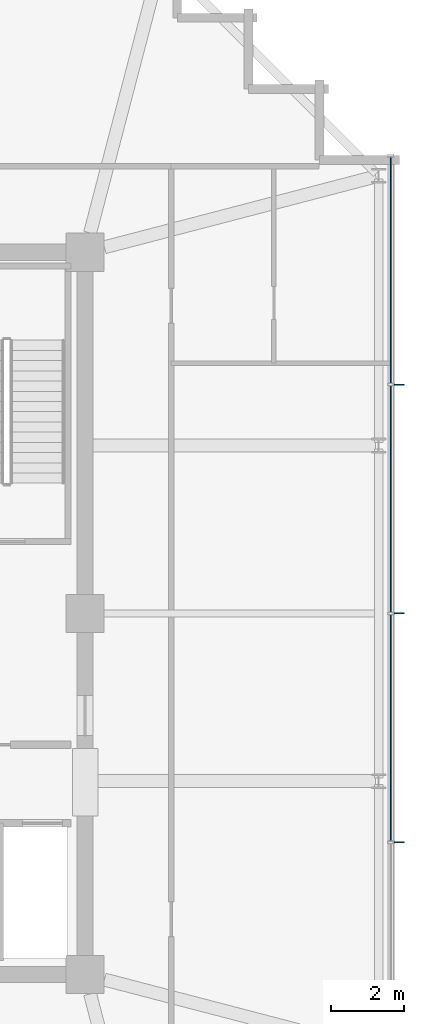
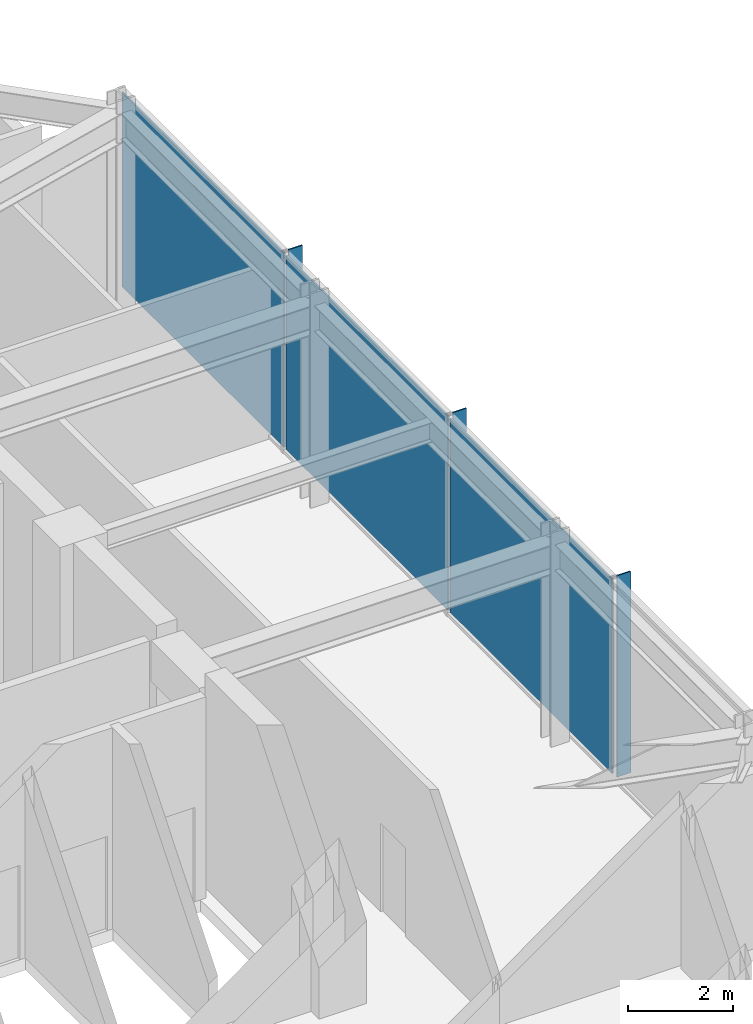
# One storey, part 25 of 31: 6 plates, 1 element without a shape of its own.
"""IFC4 building model written with IfcOpenShell, lengths in metres."""

from ifc_helpers import new_model, si_unit, direction, frame, origin, origin_2d, place, context, subcontext, project, spatial, rectangle, extrude, material, layer, layer_set, type_object, element, aggregate, save


model = new_model("IFC4")

# Units and contexts
model_context = context("Model", 3, precision=1e-05, world=origin(), true_north=direction((0.0, 1.0)))
body_context = subcontext(model_context, "Body", "Model", "MODEL_VIEW")
ifc_project = project(units=[si_unit("LENGTHUNIT", "METRE"), si_unit("AREAUNIT", "SQUARE_METRE"), si_unit("VOLUMEUNIT", "CUBIC_METRE"), si_unit("PLANEANGLEUNIT", "RADIAN"), si_unit("MASSUNIT", "GRAM", prefix="KILO")], contexts=[model_context])

# Site, building, storey
site_placement = place(None, origin())
site = spatial("IfcSite", under=ifc_project, at=site_placement, CompositionType="ELEMENT")
building_placement = place(site_placement, origin())
building = spatial("IfcBuilding", under=site, at=building_placement, Name="Kolvaren Belvedere", CompositionType="ELEMENT")
storey_placement = place(building_placement, frame((0.0, 0.0, 267.39990234375)))
storey = spatial("IfcBuildingStorey", under=building, at=storey_placement, Name="L77", CompositionType="ELEMENT", Elevation=267.39990234375)

# Curtain wall, plates
ifc_material_1 = material(Name="Anodised pale-metal aluminium AA 6063-T6", Category="aluminium")
curtain_wall_type = type_object("IfcCurtainWallType", Name="CW-CRN-OBS", PredefinedType="NOTDEFINED", material=ifc_material_1)
curtain_wall_placement = place(storey_placement, origin())
curtain_wall = element("IfcCurtainWall", 1, at=curtain_wall_placement, inside=storey, type_object=curtain_wall_type, Name="L77 Unitised Curtain Wall FCW-L77-E", PredefinedType="NOTDEFINED")
ifc_material_2 = material(Name="Low-iron laminated vision glass", Category="glass")
ifc_layer_1 = layer(ifc_material_2, 0.031982421875)
ifc_layer_set_1 = layer_set([ifc_layer_1], Name="Low-iron laminated vision glass")
plate_type_1 = type_object("IfcPlateType", Name="CW-PNL-VIS32", PredefinedType="CURTAIN_PANEL", material=ifc_layer_set_1)
plate_1_placement = place(storey_placement, frame((18.280029296875, 9.41259765625, 0.080078125), z_axis=(0.0, 0.0, 1.0), x_axis=(0.0, -1.0, 0.0)))
plate_1 = element("IfcPlate", 2, at=plate_1_placement, type_object=plate_type_1, Name="FCW-L77-E Vision Glazing Panel 1", PredefinedType="CURTAIN_PANEL", context=body_context, shape_type="SweptSolid", body=[
    extrude(rectangle(XDim=6.195068359375, YDim=0.031982421875, at=origin_2d()), origin(), (0.0, 0.0, 1.0), 4.5400390625),
])
plate_2_placement = place(storey_placement, frame((18.280029296875, 3.137451171875, 0.080078125), z_axis=(0.0, 0.0, 1.0), x_axis=(0.0, -1.0, 0.0)))
plate_2 = element("IfcPlate", 3, at=plate_2_placement, type_object=plate_type_1, Name="FCW-L77-E Vision Glazing Panel 2", PredefinedType="CURTAIN_PANEL", context=body_context, shape_type="SweptSolid", body=[
    extrude(rectangle(XDim=6.195068359375, YDim=0.031982421875, at=origin_2d()), origin(), (0.0, 0.0, 1.0), 4.5400390625),
])
plate_3_placement = place(storey_placement, frame((18.280029296875, -3.137451171875, 0.080078125), z_axis=(0.0, 0.0, 1.0), x_axis=(0.0, -1.0, 0.0)))
plate_3 = element("IfcPlate", 4, at=plate_3_placement, type_object=plate_type_1, Name="FCW-L77-E Vision Glazing Panel 3", PredefinedType="CURTAIN_PANEL", context=body_context, shape_type="SweptSolid", body=[
    extrude(rectangle(XDim=6.195068359375, YDim=0.031982421875, at=origin_2d()), origin(), (0.0, 0.0, 1.0), 4.5400390625),
])
aggregate(curtain_wall, [plate_1, plate_2, plate_3])

# Plates
ifc_material_3 = material(Name="Anodised pale-metal aluminium AA 6063-T6", Category="aluminium")
ifc_layer_2 = layer(ifc_material_3, 0.030029296875)
ifc_layer_set_2 = layer_set([ifc_layer_2], Name="Anodised pale-metal aluminium AA 6063-T6")
plate_type_2 = type_object("IfcPlateType", Name="FIN-VERT-300", PredefinedType="USERDEFINED", material=ifc_layer_set_2)
for number, where, z_axis, x_axis, name in (
    (5, (18.4951171875, 6.27490234375, 0.0), (0.0, 0.0, 1.0), (1.0, 0.0, 0.0), "L77 Pale-Metal Vertical Shading Fin FCW-L77-E-1"),
    (6, (18.4951171875, 0.0, 0.0), (0.0, 0.0, 1.0), (1.0, 0.0, 0.0), "L77 Pale-Metal Vertical Shading Fin FCW-L77-E-2"),
    (7, (18.4951171875, -6.27490234375, 0.0), (0.0, 0.0, 1.0), (1.0, 0.0, 0.0), "L77 Pale-Metal Vertical Shading Fin FCW-L77-E-3"),
):
    element("IfcPlate", number, at=place(storey_placement, frame(where, z_axis=z_axis, x_axis=x_axis)), inside=storey, type_object=plate_type_2, Name=name, ObjectType="VERTICAL FIN", PredefinedType="USERDEFINED", context=body_context, shape_type="SweptSolid", body=[
        extrude(rectangle(XDim=0.300048828125, YDim=0.030029296875, at=origin_2d()), origin(), (0.0, 0.0, 1.0), 4.699951171875),
    ])

save(model, "model.ifc")
